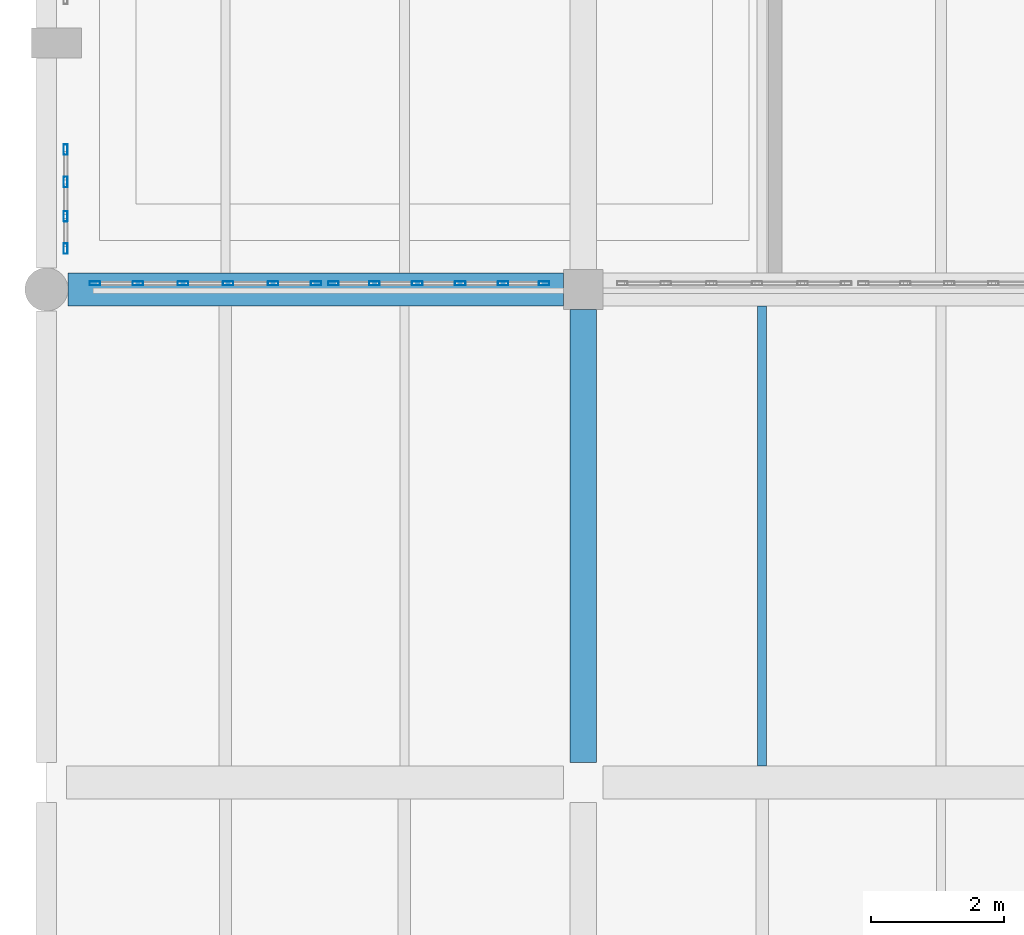
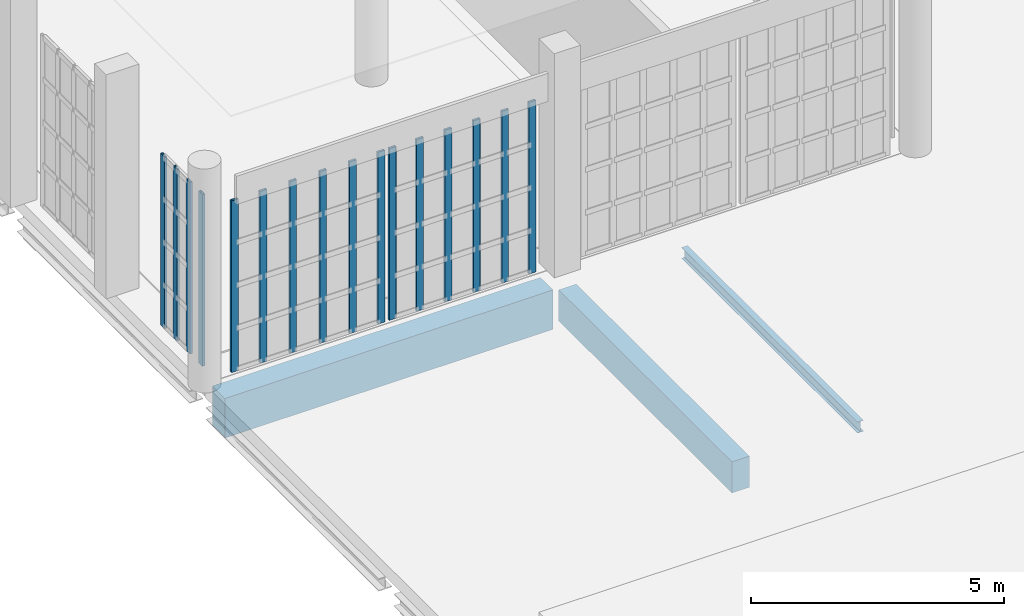
# One storey, part 13 of 372: 16 members, 3 beams, 3 elements without a shape of their own.
"""IFC4 building model written with IfcOpenShell, lengths in metres."""

from ifc_helpers import new_model, si_unit, direction, frame, origin, origin_2d, place, context, subcontext, project, spatial, rectangle, hollow_rectangle, i_section, extrude, material, material_profile, profile_set, type_object, element, aggregate, save


model = new_model("IFC4")

# Units and contexts
model_context = context("Model", 3, precision=1e-05, world=origin(), true_north=direction((0.0, 1.0)))
body_context = subcontext(model_context, "Body", "Model", "MODEL_VIEW")
ifc_project = project(units=[si_unit("LENGTHUNIT", "METRE"), si_unit("AREAUNIT", "SQUARE_METRE"), si_unit("VOLUMEUNIT", "CUBIC_METRE"), si_unit("PLANEANGLEUNIT", "RADIAN"), si_unit("MASSUNIT", "GRAM", prefix="KILO")], contexts=[model_context])

# Site, building, storey
site_placement = place(None, origin())
site = spatial("IfcSite", under=ifc_project, at=site_placement, CompositionType="ELEMENT")
building_placement = place(site_placement, origin())
building = spatial("IfcBuilding", under=site, at=building_placement, Name="Kaelora Sail Theatre", CompositionType="ELEMENT")
storey_placement = place(building_placement, origin())
storey = spatial("IfcBuildingStorey", under=building, at=storey_placement, Name="L00", CompositionType="ELEMENT", Elevation=0.0)

# Curtain wall, members
ifc_material_1 = material(Name="Anodised aluminium and solar-control low-E IGU", Category="aluminium")
curtain_wall_type_1 = type_object("IfcCurtainWallType", Name="ARC-CW-CW-NWG", PredefinedType="NOTDEFINED", material=ifc_material_1)
curtain_wall_1_placement = place(storey_placement, origin())
curtain_wall_1 = element("IfcCurtainWall", 1, at=curtain_wall_1_placement, inside=storey, type_object=curtain_wall_type_1, Name="Glazed Foyer/Conservatory Curtain Wall COLW-S-L00-01", PredefinedType="NOTDEFINED")
ifc_material_2 = material(Name="Anodised aluminium 6063-T6", Category="aluminium")
ifc_material_profile_1 = material_profile(ifc_material_2, hollow_rectangle(XDim=0.06005859375, YDim=0.159912109375, WallThickness=0.00390625, InnerFilletRadius=0.00390625, OuterFilletRadius=0.008056640625, at=origin_2d()), Name="ALU-MULL 60x160x4")
ifc_profile_set_1 = profile_set([ifc_material_profile_1], Name="Anodised aluminium 6063-T6")
member_type = type_object("IfcMemberType", Name="ARC-MEM-ML-160", PredefinedType="MULLION", material=ifc_profile_set_1)
member_1_placement = place(storey_placement, frame((2.22998046875, 31.35009765625, 0.0), z_axis=(0.0, 0.0, 1.0), x_axis=(0.0, 1.0, 0.0)))
member_1 = element("IfcMember", 2, at=member_1_placement, type_object=member_type, Name="CW-NWG mullion 1", PredefinedType="MULLION", context=body_context, shape_type="SweptSolid", body=[
    extrude(hollow_rectangle(XDim=0.06005859375, YDim=0.159912109375, WallThickness=0.00390625, InnerFilletRadius=0.00390625, OuterFilletRadius=0.008056640625, at=origin_2d()), origin(), (0.0, 0.0, 1.0), 4.136962890625),
])
member_2_placement = place(storey_placement, frame((2.8798828125, 31.35009765625, 0.0), z_axis=(0.0, 0.0, 1.0), x_axis=(0.0, 1.0, 0.0)))
member_2 = element("IfcMember", 3, at=member_2_placement, type_object=member_type, Name="CW-NWG mullion 2", PredefinedType="MULLION", context=body_context, shape_type="SweptSolid", body=[
    extrude(hollow_rectangle(XDim=0.06005859375, YDim=0.159912109375, WallThickness=0.00390625, InnerFilletRadius=0.00390625, OuterFilletRadius=0.008056640625, at=origin_2d()), origin(), (0.0, 0.0, 1.0), 4.136962890625),
])
member_3_placement = place(storey_placement, frame((3.56005859375, 31.35009765625, 0.0), z_axis=(0.0, 0.0, 1.0), x_axis=(0.0, 1.0, 0.0)))
member_3 = element("IfcMember", 4, at=member_3_placement, type_object=member_type, Name="CW-NWG mullion 3", PredefinedType="MULLION", context=body_context, shape_type="SweptSolid", body=[
    extrude(hollow_rectangle(XDim=0.06005859375, YDim=0.159912109375, WallThickness=0.00390625, InnerFilletRadius=0.00390625, OuterFilletRadius=0.008056640625, at=origin_2d()), origin(), (0.0, 0.0, 1.0), 4.136962890625),
])
member_4_placement = place(storey_placement, frame((4.239990234375, 31.35009765625, 0.0), z_axis=(0.0, 0.0, 1.0), x_axis=(0.0, 1.0, 0.0)))
member_4 = element("IfcMember", 5, at=member_4_placement, type_object=member_type, Name="CW-NWG mullion 4", PredefinedType="MULLION", context=body_context, shape_type="SweptSolid", body=[
    extrude(hollow_rectangle(XDim=0.06005859375, YDim=0.159912109375, WallThickness=0.00390625, InnerFilletRadius=0.00390625, OuterFilletRadius=0.008056640625, at=origin_2d()), origin(), (0.0, 0.0, 1.0), 4.136962890625),
])
member_5_placement = place(storey_placement, frame((4.919921875, 31.35009765625, 0.0), z_axis=(0.0, 0.0, 1.0), x_axis=(0.0, 1.0, 0.0)))
member_5 = element("IfcMember", 6, at=member_5_placement, type_object=member_type, Name="CW-NWG mullion 5", PredefinedType="MULLION", context=body_context, shape_type="SweptSolid", body=[
    extrude(hollow_rectangle(XDim=0.06005859375, YDim=0.159912109375, WallThickness=0.00390625, InnerFilletRadius=0.00390625, OuterFilletRadius=0.008056640625, at=origin_2d()), origin(), (0.0, 0.0, 1.0), 4.136962890625),
])
member_6_placement = place(storey_placement, frame((5.570068359375, 31.35009765625, 0.0), z_axis=(0.0, 0.0, 1.0), x_axis=(0.0, 1.0, 0.0)))
member_6 = element("IfcMember", 7, at=member_6_placement, type_object=member_type, Name="CW-NWG mullion 6", PredefinedType="MULLION", context=body_context, shape_type="SweptSolid", body=[
    extrude(hollow_rectangle(XDim=0.06005859375, YDim=0.159912109375, WallThickness=0.00390625, InnerFilletRadius=0.00390625, OuterFilletRadius=0.008056640625, at=origin_2d()), origin(), (0.0, 0.0, 1.0), 4.136962890625),
])
aggregate(curtain_wall_1, [member_1, member_2, member_3, member_4, member_5, member_6])

curtain_wall_2_placement = place(storey_placement, origin())
curtain_wall_2 = element("IfcCurtainWall", 8, at=curtain_wall_2_placement, inside=storey, type_object=curtain_wall_type_1, Name="Glazed Foyer/Conservatory Curtain Wall COLW-S-L00-02", PredefinedType="NOTDEFINED")
member_7_placement = place(storey_placement, frame((5.830078125, 31.35009765625, 0.0), z_axis=(0.0, 0.0, 1.0), x_axis=(0.0, 1.0, 0.0)))
member_7 = element("IfcMember", 9, at=member_7_placement, type_object=member_type, Name="CW-NWG mullion 1", PredefinedType="MULLION", context=body_context, shape_type="SweptSolid", body=[
    extrude(hollow_rectangle(XDim=0.06005859375, YDim=0.159912109375, WallThickness=0.00390625, InnerFilletRadius=0.00390625, OuterFilletRadius=0.008056640625, at=origin_2d()), origin(), (0.0, 0.0, 1.0), 4.136962890625),
])
member_8_placement = place(storey_placement, frame((6.447998046875, 31.35009765625, 0.0), z_axis=(0.0, 0.0, 1.0), x_axis=(0.0, 1.0, 0.0)))
member_8 = element("IfcMember", 10, at=member_8_placement, type_object=member_type, Name="CW-NWG mullion 2", PredefinedType="MULLION", context=body_context, shape_type="SweptSolid", body=[
    extrude(hollow_rectangle(XDim=0.06005859375, YDim=0.159912109375, WallThickness=0.00390625, InnerFilletRadius=0.00390625, OuterFilletRadius=0.008056640625, at=origin_2d()), origin(), (0.0, 0.0, 1.0), 4.136962890625),
])
member_9_placement = place(storey_placement, frame((7.095947265625, 31.35009765625, 0.0), z_axis=(0.0, 0.0, 1.0), x_axis=(0.0, 1.0, 0.0)))
member_9 = element("IfcMember", 11, at=member_9_placement, type_object=member_type, Name="CW-NWG mullion 3", PredefinedType="MULLION", context=body_context, shape_type="SweptSolid", body=[
    extrude(hollow_rectangle(XDim=0.06005859375, YDim=0.159912109375, WallThickness=0.00390625, InnerFilletRadius=0.00390625, OuterFilletRadius=0.008056640625, at=origin_2d()), origin(), (0.0, 0.0, 1.0), 4.136962890625),
])
member_10_placement = place(storey_placement, frame((7.743896484375, 31.35009765625, 0.0), z_axis=(0.0, 0.0, 1.0), x_axis=(0.0, 1.0, 0.0)))
member_10 = element("IfcMember", 12, at=member_10_placement, type_object=member_type, Name="CW-NWG mullion 4", PredefinedType="MULLION", context=body_context, shape_type="SweptSolid", body=[
    extrude(hollow_rectangle(XDim=0.06005859375, YDim=0.159912109375, WallThickness=0.00390625, InnerFilletRadius=0.00390625, OuterFilletRadius=0.008056640625, at=origin_2d()), origin(), (0.0, 0.0, 1.0), 4.136962890625),
])
member_11_placement = place(storey_placement, frame((8.39208984375, 31.35009765625, 0.0), z_axis=(0.0, 0.0, 1.0), x_axis=(0.0, 1.0, 0.0)))
member_11 = element("IfcMember", 13, at=member_11_placement, type_object=member_type, Name="CW-NWG mullion 5", PredefinedType="MULLION", context=body_context, shape_type="SweptSolid", body=[
    extrude(hollow_rectangle(XDim=0.06005859375, YDim=0.159912109375, WallThickness=0.00390625, InnerFilletRadius=0.00390625, OuterFilletRadius=0.008056640625, at=origin_2d()), origin(), (0.0, 0.0, 1.0), 4.136962890625),
])
member_12_placement = place(storey_placement, frame((9.010009765625, 31.35009765625, 0.0), z_axis=(0.0, 0.0, 1.0), x_axis=(0.0, 1.0, 0.0)))
member_12 = element("IfcMember", 14, at=member_12_placement, type_object=member_type, Name="CW-NWG mullion 6", PredefinedType="MULLION", context=body_context, shape_type="SweptSolid", body=[
    extrude(hollow_rectangle(XDim=0.06005859375, YDim=0.159912109375, WallThickness=0.00390625, InnerFilletRadius=0.00390625, OuterFilletRadius=0.008056640625, at=origin_2d()), origin(), (0.0, 0.0, 1.0), 4.136962890625),
])
aggregate(curtain_wall_2, [member_7, member_8, member_9, member_10, member_11, member_12])

ifc_material_3 = material(Name="Anodised aluminium and solar-control low-E IGU", Category="aluminium")
curtain_wall_type_2 = type_object("IfcCurtainWallType", Name="ARC-CW-CW-FOY1", PredefinedType="NOTDEFINED", material=ifc_material_3)
curtain_wall_3_placement = place(storey_placement, origin())
curtain_wall_3 = element("IfcCurtainWall", 15, at=curtain_wall_3_placement, inside=storey, type_object=curtain_wall_type_2, Name="Glazed Colonnade/Courtyard Curtain Wall COLW-W-L00-01", PredefinedType="NOTDEFINED")
member_13_placement = place(storey_placement, frame((1.7900390625, 31.875, 0.0), z_axis=(0.0, 0.0, 1.0), x_axis=(-1.0, 0.0, 0.0)))
member_13 = element("IfcMember", 16, at=member_13_placement, type_object=member_type, Name="CW-FOY1 mullion 1", PredefinedType="MULLION", context=body_context, shape_type="SweptSolid", body=[
    extrude(hollow_rectangle(XDim=0.06005859375, YDim=0.159912109375, WallThickness=0.00390625, InnerFilletRadius=0.00390625, OuterFilletRadius=0.008056640625, at=origin_2d()), origin(), (0.0, 0.0, 1.0), 4.136962890625),
])
member_14_placement = place(storey_placement, frame((1.7900390625, 32.36328125, 0.0), z_axis=(0.0, 0.0, 1.0), x_axis=(-1.0, 0.0, 0.0)))
member_14 = element("IfcMember", 17, at=member_14_placement, type_object=member_type, Name="CW-FOY1 mullion 2", PredefinedType="MULLION", context=body_context, shape_type="SweptSolid", body=[
    extrude(hollow_rectangle(XDim=0.06005859375, YDim=0.159912109375, WallThickness=0.00390625, InnerFilletRadius=0.00390625, OuterFilletRadius=0.008056640625, at=origin_2d()), origin(), (0.0, 0.0, 1.0), 4.136962890625),
])
member_15_placement = place(storey_placement, frame((1.7900390625, 32.881591796875, 0.0), z_axis=(0.0, 0.0, 1.0), x_axis=(-1.0, 0.0, 0.0)))
member_15 = element("IfcMember", 18, at=member_15_placement, type_object=member_type, Name="CW-FOY1 mullion 3", PredefinedType="MULLION", context=body_context, shape_type="SweptSolid", body=[
    extrude(hollow_rectangle(XDim=0.06005859375, YDim=0.159912109375, WallThickness=0.00390625, InnerFilletRadius=0.00390625, OuterFilletRadius=0.008056640625, at=origin_2d()), origin(), (0.0, 0.0, 1.0), 4.136962890625),
])
member_16_placement = place(storey_placement, frame((1.7900390625, 33.3701171875, 0.0), z_axis=(0.0, 0.0, 1.0), x_axis=(-1.0, 0.0, 0.0)))
member_16 = element("IfcMember", 19, at=member_16_placement, type_object=member_type, Name="CW-FOY1 mullion 4", PredefinedType="MULLION", context=body_context, shape_type="SweptSolid", body=[
    extrude(hollow_rectangle(XDim=0.06005859375, YDim=0.159912109375, WallThickness=0.00390625, InnerFilletRadius=0.00390625, OuterFilletRadius=0.008056640625, at=origin_2d()), origin(), (0.0, 0.0, 1.0), 4.136962890625),
])
aggregate(curtain_wall_3, [member_13, member_14, member_15, member_16])

# Beams
ifc_material_4 = material(Name="Concrete C40/50", Category="concrete")
ifc_material_profile_2 = material_profile(ifc_material_4, rectangle(XDim=0.39990234375, YDim=0.75, at=origin_2d()), Name="RC-BM 400x750")
ifc_profile_set_2 = profile_set([ifc_material_profile_2], Name="Concrete C40/50")
beam_type_1 = type_object("IfcBeamType", Name="STR-BM-BM-RC4075", PredefinedType="BEAM", material=ifc_profile_set_2)
beam_1_placement = place(storey_placement, frame((9.60009765625, 24.1201171875, -0.695068359375), z_axis=(0.0, 1.0, 0.0), x_axis=(-1.0, 0.0, 0.0)))
element("IfcBeam", 20, at=beam_1_placement, inside=storey, type_object=beam_type_1, Name="Primary beam 2 D-E (L00)", PredefinedType="BEAM", context=body_context, shape_type="SweptSolid", body=[
    extrude(rectangle(XDim=0.39990234375, YDim=0.75, at=origin_2d()), origin(), (0.0, 0.0, 1.0), 6.83984375),
])
ifc_material_5 = material(Name="Concrete C45/55", Category="concrete")
ifc_material_profile_3 = material_profile(ifc_material_5, rectangle(XDim=0.5, YDim=0.949951171875, at=origin_2d()), Name="RC-GRD 500x950")
ifc_profile_set_3 = profile_set([ifc_material_profile_3], Name="Concrete C45/55")
beam_type_2 = type_object("IfcBeamType", Name="STR-BM-GR-RC5095", PredefinedType="T_BEAM", material=ifc_profile_set_3)
beam_2_placement = place(storey_placement, frame((1.824951171875, 31.260009765625, -0.794921875), z_axis=(1.0, 0.0, 0.0), x_axis=(0.0, 1.0, 0.0)))
element("IfcBeam", 21, at=beam_2_placement, inside=storey, type_object=beam_type_2, Name="Primary beam E 1-2 (L00)", PredefinedType="T_BEAM", context=body_context, shape_type="SweptSolid", body=[
    extrude(rectangle(XDim=0.5, YDim=0.949951171875, at=origin_2d()), origin(), (0.0, 0.0, 1.0), 7.47509765625),
])
ifc_material_6 = material(Name="Steel S355", Category="steel")
ifc_material_profile_4 = material_profile(ifc_material_6, i_section(OverallWidth=0.135009765625, OverallDepth=0.27001953125, WebThickness=0.006591796875, FlangeThickness=0.01025390625, FilletRadius=0.014892578125, at=origin_2d()), Name="IPE 270")
ifc_profile_set_4 = profile_set([ifc_material_profile_4], Name="Steel S355")
beam_type_3 = type_object("IfcBeamType", Name="STR-BM-JS-IPE270", PredefinedType="JOIST", material=ifc_profile_set_4)
beam_3_placement = place(storey_placement, frame((12.300048828125, 24.070068359375, -0.455078125), z_axis=(0.0, 1.0, 0.0), x_axis=(-1.0, 0.0, 0.0)))
element("IfcBeam", 22, at=beam_3_placement, inside=storey, type_object=beam_type_3, Name="Secondary floor joist 2/D-1 (L00)", PredefinedType="JOIST", context=body_context, shape_type="SweptSolid", body=[
    extrude(i_section(OverallWidth=0.135009765625, OverallDepth=0.27001953125, WebThickness=0.006591796875, FlangeThickness=0.01025390625, FilletRadius=0.014892578125, at=origin_2d()), origin(), (0.0, 0.0, 1.0), 6.93994140625),
])

save(model, "model.ifc")
